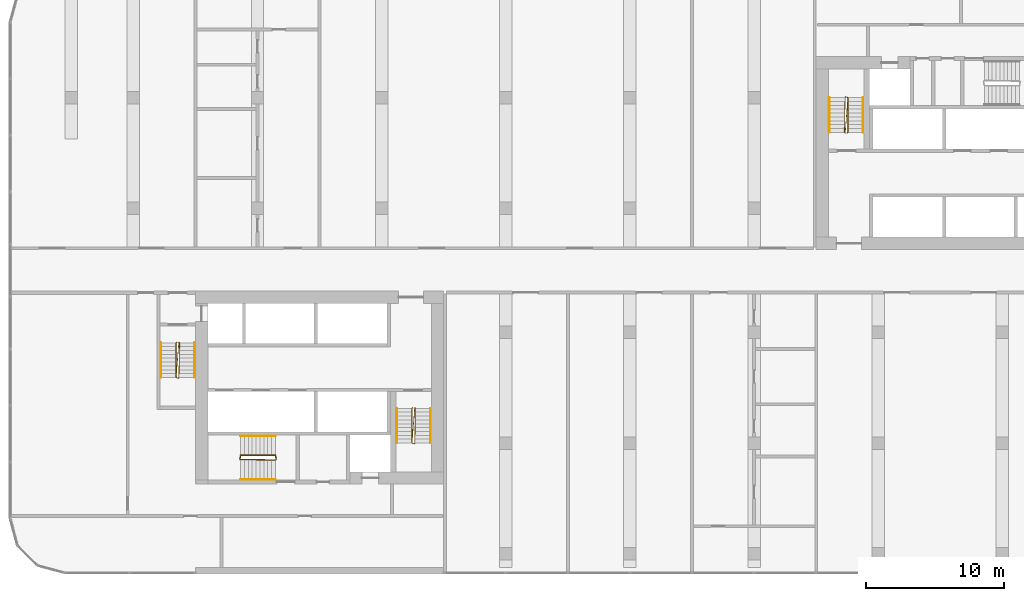
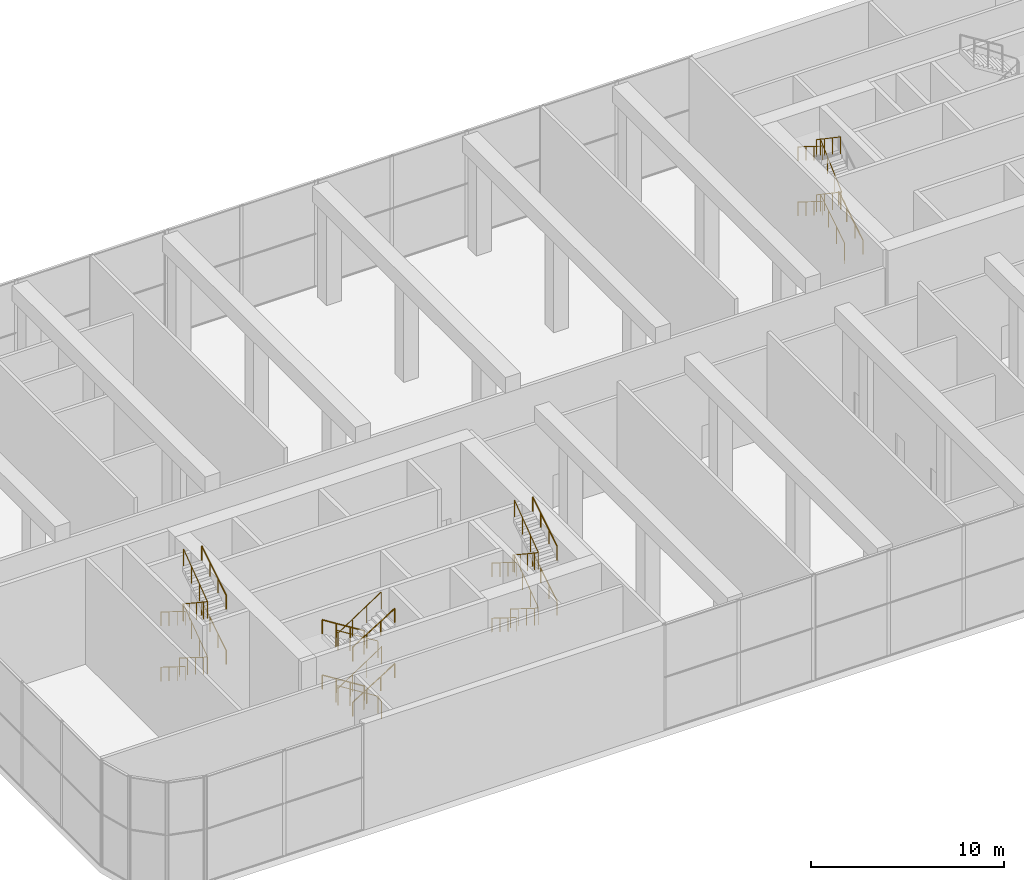
# One storey, part 22 of 23: 20 railings.
"""IFC4 building model written with IfcOpenShell, lengths in metres."""

from ifc_helpers import new_model, si_unit, direction, frame, origin, origin_2d, place, context, subcontext, project, spatial, circle, extrude, material, type_object, element, save


model = new_model("IFC4")

# Units and contexts
model_context = context("Model", 3, precision=1e-05, world=origin(), true_north=direction((0.0, 1.0)))
body_context = subcontext(model_context, "Body", "Model", "MODEL_VIEW")
ifc_project = project(units=[si_unit("LENGTHUNIT", "METRE"), si_unit("AREAUNIT", "SQUARE_METRE"), si_unit("VOLUMEUNIT", "CUBIC_METRE"), si_unit("PLANEANGLEUNIT", "RADIAN"), si_unit("MASSUNIT", "GRAM", prefix="KILO")], contexts=[model_context])

# Site, building, storey
site_placement = place(None, origin())
site = spatial("IfcSite", under=ifc_project, at=site_placement, CompositionType="ELEMENT")
building_placement = place(site_placement, origin())
building = spatial("IfcBuilding", under=site, at=building_placement, Name="Kajstack Hotel Tower", CompositionType="ELEMENT")
storey_placement = place(building_placement, frame((0.0, 0.0, 53.0)))
storey = spatial("IfcBuildingStorey", under=building, at=storey_placement, Name="L08", CompositionType="ELEMENT", Elevation=53.0)

# Railings
ifc_material = material(Name="Steel S355J2", Category="steel")
railing_type_1 = type_object("IfcRailingType", Name="Stair guard 1100", PredefinedType="GUARDRAIL", material=ifc_material)
railing_1_placement = place(storey_placement, frame((-32.85009765625, -5.199951171875, 0.0)))
element("IfcRailing", 1, at=railing_1_placement, inside=storey, type_object=railing_type_1, Name="L08 W1 stair guard 1", PredefinedType="GUARDRAIL", context=body_context, shape_type="SweptSolid", body=[
    extrude(circle(Radius=0.02392578125, at=origin_2d()), frame((0.0, 0.0, 1.076171875), z_axis=(-0.263862480399, -0.265155923931, 0.927399011991), x_axis=(0.708833529934, -0.705375805398, 0.0)), (0.0, 0.0, 1.0), 0.188720703125),
    extrude(circle(Radius=0.02392578125, at=origin_2d()), frame((-0.0498046875, -0.050048828125, 1.2509765625), z_axis=(0.0, -0.848007534815, 0.529984170421), x_axis=(1.0, 0.0, 0.0)), (0.0, 0.0, 1.0), 2.9716796875),
    extrude(circle(Radius=0.02392578125, at=origin_2d()), frame((-0.0498046875, -2.570068359375, 2.826171875), z_axis=(0.970072785993, -0.242814311512, 0.0), x_axis=(0.242814311512, 0.970072785993, 0.0)), (0.0, 0.0, 1.0), 0.2060546875),
    extrude(circle(Radius=0.02392578125, at=origin_2d()), frame((0.150146484375, -2.6201171875, 2.826171875), z_axis=(0.01609440485, 0.826467316365, 0.562754604702), x_axis=(-0.999810440751, 0.019470042781, 0.0)), (0.0, 0.0, 1.0), 3.109619140625),
    extrude(circle(Radius=0.02392578125, at=origin_2d()), frame((0.2001953125, -0.050048828125, 4.576171875), z_axis=(-0.707106781187, 0.707106781187, 0.0), x_axis=(-0.707106781187, -0.707106781187, 0.0)), (0.0, 0.0, 1.0), 0.07080078125),
    extrude(circle(Radius=0.02392578125, at=origin_2d()), frame((0.150146484375, 0.0, 4.576171875), z_axis=(-0.064174880426, -0.824870532658, 0.561667329542), x_axis=(0.996987254287, -0.077565551559, 0.0)), (0.0, 0.0, 1.0), 3.11572265625),
    extrude(circle(Radius=0.02392578125, at=origin_2d()), frame((-0.0498046875, -2.570068359375, 6.326171875), z_axis=(0.970072785993, -0.242814311512, 0.0), x_axis=(0.242814311512, 0.970072785993, 0.0)), (0.0, 0.0, 1.0), 0.2060546875),
    extrude(circle(Radius=0.02392578125, at=origin_2d()), frame((0.150146484375, -2.6201171875, 6.326171875), z_axis=(0.01609440485, 0.826467316365, 0.562754604702), x_axis=(-0.999810440751, 0.019470042781, 0.0)), (0.0, 0.0, 1.0), 3.109619140625),
    extrude(circle(Radius=0.02099609375, at=origin_2d()), origin(), (0.0, 0.0, 1.0), 1.052001953125),
    extrude(circle(Radius=0.02099609375, at=origin_2d()), frame((-0.0498046875, -0.050048828125, 0.175048828125)), (0.0, 0.0, 1.0), 1.052001953125),
    extrude(circle(Radius=0.02099609375, at=origin_2d()), frame((-0.0498046875, -0.89013671875, 0.699951171875)), (0.0, 0.0, 1.0), 1.052001953125),
    extrude(circle(Radius=0.02099609375, at=origin_2d()), frame((-0.0498046875, -1.72998046875, 1.22509765625)), (0.0, 0.0, 1.0), 1.052001953125),
    extrude(circle(Radius=0.02099609375, at=origin_2d()), frame((-0.0498046875, -2.570068359375, 1.75)), (0.0, 0.0, 1.0), 1.052001953125),
    extrude(circle(Radius=0.02099609375, at=origin_2d()), frame((0.150146484375, -2.6201171875, 1.75)), (0.0, 0.0, 1.0), 1.052001953125),
    extrude(circle(Radius=0.02099609375, at=origin_2d()), frame((0.166748046875, -1.763427734375, 2.333251953125)), (0.0, 0.0, 1.0), 1.052001953125),
    extrude(circle(Radius=0.02099609375, at=origin_2d()), frame((0.18359375, -0.90673828125, 2.916748046875)), (0.0, 0.0, 1.0), 1.052001953125),
    extrude(circle(Radius=0.02099609375, at=origin_2d()), frame((0.2001953125, -0.050048828125, 3.5)), (0.0, 0.0, 1.0), 1.052001953125),
    extrude(circle(Radius=0.02099609375, at=origin_2d()), frame((0.150146484375, 0.0, 3.5)), (0.0, 0.0, 1.0), 1.052001953125),
    extrude(circle(Radius=0.02099609375, at=origin_2d()), frame((0.08349609375, -0.856689453125, 4.083251953125)), (0.0, 0.0, 1.0), 1.052001953125),
    extrude(circle(Radius=0.02099609375, at=origin_2d()), frame((0.016845703125, -1.71337890625, 4.666748046875)), (0.0, 0.0, 1.0), 1.052001953125),
    extrude(circle(Radius=0.02099609375, at=origin_2d()), frame((-0.0498046875, -2.570068359375, 5.25)), (0.0, 0.0, 1.0), 1.052001953125),
    extrude(circle(Radius=0.02099609375, at=origin_2d()), frame((0.150146484375, -2.6201171875, 5.25)), (0.0, 0.0, 1.0), 1.052001953125),
    extrude(circle(Radius=0.02099609375, at=origin_2d()), frame((0.166748046875, -1.763427734375, 5.833251953125)), (0.0, 0.0, 1.0), 1.052001953125),
    extrude(circle(Radius=0.02099609375, at=origin_2d()), frame((0.18359375, -0.90673828125, 6.416748046875)), (0.0, 0.0, 1.0), 1.052001953125),
    extrude(circle(Radius=0.02099609375, at=origin_2d()), frame((0.2001953125, -0.050048828125, 7.0)), (0.0, 0.0, 1.0), 1.052001953125),
])
railing_2_placement = place(storey_placement, frame((-15.75, -9.949951171875, 0.0)))
element("IfcRailing", 2, at=railing_2_placement, inside=storey, type_object=railing_type_1, Name="L08 W2 stair guard 1", PredefinedType="GUARDRAIL", context=body_context, shape_type="SweptSolid", body=[
    extrude(circle(Radius=0.02392578125, at=origin_2d()), frame((0.0, 0.0, 1.076171875), z_axis=(-0.265065253269, -0.265065253269, 0.927081885822), x_axis=(0.707106781187, -0.707106781187, 0.0)), (0.0, 0.0, 1.0), 0.188720703125),
    extrude(circle(Radius=0.02392578125, at=origin_2d()), frame((-0.050048828125, -0.050048828125, 1.2509765625), z_axis=(0.0, -0.848007534815, 0.529984170421), x_axis=(1.0, 0.0, 0.0)), (0.0, 0.0, 1.0), 2.9716796875),
    extrude(circle(Radius=0.02392578125, at=origin_2d()), frame((-0.050048828125, -2.570068359375, 2.826171875), z_axis=(0.970072785993, -0.242814311512, 0.0), x_axis=(0.242814311512, 0.970072785993, 0.0)), (0.0, 0.0, 1.0), 0.2060546875),
    extrude(circle(Radius=0.02392578125, at=origin_2d()), frame((0.14990234375, -2.6201171875, 2.826171875), z_axis=(0.01609440485, 0.826467316365, 0.562754604702), x_axis=(-0.999810440751, 0.019470042781, 0.0)), (0.0, 0.0, 1.0), 3.109619140625),
    extrude(circle(Radius=0.02392578125, at=origin_2d()), frame((0.199951171875, -0.050048828125, 4.576171875), z_axis=(-0.707106781187, 0.707106781187, 0.0), x_axis=(-0.707106781187, -0.707106781187, 0.0)), (0.0, 0.0, 1.0), 0.07080078125),
    extrude(circle(Radius=0.02392578125, at=origin_2d()), frame((0.14990234375, 0.0, 4.576171875), z_axis=(-0.064174880426, -0.824870532658, 0.561667329542), x_axis=(0.996987254287, -0.077565551559, 0.0)), (0.0, 0.0, 1.0), 3.11572265625),
    extrude(circle(Radius=0.02392578125, at=origin_2d()), frame((-0.050048828125, -2.570068359375, 6.326171875), z_axis=(0.970072785993, -0.242814311512, 0.0), x_axis=(0.242814311512, 0.970072785993, 0.0)), (0.0, 0.0, 1.0), 0.2060546875),
    extrude(circle(Radius=0.02392578125, at=origin_2d()), frame((0.14990234375, -2.6201171875, 6.326171875), z_axis=(0.01609440485, 0.826467316365, 0.562754604702), x_axis=(-0.999810440751, 0.019470042781, 0.0)), (0.0, 0.0, 1.0), 3.109619140625),
    extrude(circle(Radius=0.02099609375, at=origin_2d()), origin(), (0.0, 0.0, 1.0), 1.052001953125),
    extrude(circle(Radius=0.02099609375, at=origin_2d()), frame((-0.050048828125, -0.050048828125, 0.175048828125)), (0.0, 0.0, 1.0), 1.052001953125),
    extrude(circle(Radius=0.02099609375, at=origin_2d()), frame((-0.050048828125, -0.89013671875, 0.699951171875)), (0.0, 0.0, 1.0), 1.052001953125),
    extrude(circle(Radius=0.02099609375, at=origin_2d()), frame((-0.050048828125, -1.72998046875, 1.22509765625)), (0.0, 0.0, 1.0), 1.052001953125),
    extrude(circle(Radius=0.02099609375, at=origin_2d()), frame((-0.050048828125, -2.570068359375, 1.75)), (0.0, 0.0, 1.0), 1.052001953125),
    extrude(circle(Radius=0.02099609375, at=origin_2d()), frame((0.14990234375, -2.6201171875, 1.75)), (0.0, 0.0, 1.0), 1.052001953125),
    extrude(circle(Radius=0.02099609375, at=origin_2d()), frame((0.16650390625, -1.763427734375, 2.333251953125)), (0.0, 0.0, 1.0), 1.052001953125),
    extrude(circle(Radius=0.02099609375, at=origin_2d()), frame((0.183349609375, -0.90673828125, 2.916748046875)), (0.0, 0.0, 1.0), 1.052001953125),
    extrude(circle(Radius=0.02099609375, at=origin_2d()), frame((0.199951171875, -0.050048828125, 3.5)), (0.0, 0.0, 1.0), 1.052001953125),
    extrude(circle(Radius=0.02099609375, at=origin_2d()), frame((0.14990234375, 0.0, 3.5)), (0.0, 0.0, 1.0), 1.052001953125),
    extrude(circle(Radius=0.02099609375, at=origin_2d()), frame((0.083251953125, -0.856689453125, 4.083251953125)), (0.0, 0.0, 1.0), 1.052001953125),
    extrude(circle(Radius=0.02099609375, at=origin_2d()), frame((0.0166015625, -1.71337890625, 4.666748046875)), (0.0, 0.0, 1.0), 1.052001953125),
    extrude(circle(Radius=0.02099609375, at=origin_2d()), frame((-0.050048828125, -2.570068359375, 5.25)), (0.0, 0.0, 1.0), 1.052001953125),
    extrude(circle(Radius=0.02099609375, at=origin_2d()), frame((0.14990234375, -2.6201171875, 5.25)), (0.0, 0.0, 1.0), 1.052001953125),
    extrude(circle(Radius=0.02099609375, at=origin_2d()), frame((0.16650390625, -1.763427734375, 5.833251953125)), (0.0, 0.0, 1.0), 1.052001953125),
    extrude(circle(Radius=0.02099609375, at=origin_2d()), frame((0.183349609375, -0.90673828125, 6.416748046875)), (0.0, 0.0, 1.0), 1.052001953125),
    extrude(circle(Radius=0.02099609375, at=origin_2d()), frame((0.199951171875, -0.050048828125, 7.0)), (0.0, 0.0, 1.0), 1.052001953125),
])
railing_3_placement = place(storey_placement, frame((-25.64990234375, -13.699951171875, 0.0)))
element("IfcRailing", 3, at=railing_3_placement, inside=storey, type_object=railing_type_1, Name="L08 W3 stair guard 1", PredefinedType="GUARDRAIL", context=body_context, shape_type="SweptSolid", body=[
    extrude(circle(Radius=0.02392578125, at=origin_2d()), frame((0.0, 0.0, 1.076171875), z_axis=(-0.142603563095, 0.85492575143, 0.498764657262), x_axis=(-0.986372223864, -0.164529134168, 0.0)), (0.0, 0.0, 1.0), 0.35107421875),
    extrude(circle(Radius=0.02392578125, at=origin_2d()), frame((-0.050048828125, 0.300048828125, 1.2509765625), z_axis=(-0.848007534815, 0.0, 0.529984170421), x_axis=(0.0, -1.0, 0.0)), (0.0, 0.0, 1.0), 2.9716796875),
    extrude(circle(Radius=0.02392578125, at=origin_2d()), frame((-2.570068359375, 0.300048828125, 2.826171875), z_axis=(-0.164529134168, -0.986372223864, 0.0), x_axis=(0.986372223864, -0.164529134168, 0.0)), (0.0, 0.0, 1.0), 0.30419921875),
    extrude(circle(Radius=0.02392578125, at=origin_2d()), frame((-2.6201171875, 0.0, 2.826171875), z_axis=(0.826467316365, -0.01609440485, 0.562754604702), x_axis=(0.019470042781, 0.999810440751, 0.0)), (0.0, 0.0, 1.0), 3.109619140625),
    extrude(circle(Radius=0.02392578125, at=origin_2d()), frame((-0.050048828125, -0.050048828125, 4.576171875), z_axis=(0.707106781187, 0.707106781187, 0.0), x_axis=(-0.707106781187, 0.707106781187, 0.0)), (0.0, 0.0, 1.0), 0.07080078125),
    extrude(circle(Radius=0.02099609375, at=origin_2d()), origin(), (0.0, 0.0, 1.0), 1.052001953125),
    extrude(circle(Radius=0.02099609375, at=origin_2d()), frame((-0.050048828125, 0.300048828125, 0.175048828125)), (0.0, 0.0, 1.0), 1.052001953125),
    extrude(circle(Radius=0.02099609375, at=origin_2d()), frame((-0.89013671875, 0.300048828125, 0.699951171875)), (0.0, 0.0, 1.0), 1.052001953125),
    extrude(circle(Radius=0.02099609375, at=origin_2d()), frame((-1.72998046875, 0.300048828125, 1.22509765625)), (0.0, 0.0, 1.0), 1.052001953125),
    extrude(circle(Radius=0.02099609375, at=origin_2d()), frame((-2.570068359375, 0.300048828125, 1.75)), (0.0, 0.0, 1.0), 1.052001953125),
    extrude(circle(Radius=0.02099609375, at=origin_2d()), frame((-2.6201171875, 0.0, 1.75)), (0.0, 0.0, 1.0), 1.052001953125),
    extrude(circle(Radius=0.02099609375, at=origin_2d()), frame((-1.763427734375, -0.0166015625, 2.333251953125)), (0.0, 0.0, 1.0), 1.052001953125),
    extrude(circle(Radius=0.02099609375, at=origin_2d()), frame((-0.90673828125, -0.033447265625, 2.916748046875)), (0.0, 0.0, 1.0), 1.052001953125),
    extrude(circle(Radius=0.02099609375, at=origin_2d()), frame((-0.050048828125, -0.050048828125, 3.5)), (0.0, 0.0, 1.0), 1.052001953125),
    extrude(circle(Radius=0.02099609375, at=origin_2d()), frame((0.0, 0.0, 3.5)), (0.0, 0.0, 1.0), 1.052001953125),
])
railing_4_placement = place(storey_placement, frame((-25.699951171875, -13.39990234375, 3.675048828125)))
element("IfcRailing", 4, at=railing_4_placement, inside=storey, type_object=railing_type_1, Name="L08 W3 stair guard 2", PredefinedType="GUARDRAIL", context=body_context, shape_type="SweptSolid", body=[
    extrude(circle(Radius=0.02392578125, at=origin_2d()), frame((0.0, 0.0, 1.076171875), z_axis=(-0.848007534815, 0.0, 0.529984170421), x_axis=(0.0, -1.0, 0.0)), (0.0, 0.0, 1.0), 2.9716796875),
    extrude(circle(Radius=0.02392578125, at=origin_2d()), frame((-2.52001953125, 0.0, 2.65087890625), z_axis=(-0.164529134168, -0.986372223864, 0.0), x_axis=(0.986372223864, -0.164529134168, 0.0)), (0.0, 0.0, 1.0), 0.30419921875),
    extrude(circle(Radius=0.02392578125, at=origin_2d()), frame((-2.570068359375, -0.300048828125, 2.65087890625), z_axis=(0.826467316365, -0.01609440485, 0.562754604702), x_axis=(0.019470042781, 0.999810440751, 0.0)), (0.0, 0.0, 1.0), 3.109619140625),
    extrude(circle(Radius=0.02099609375, at=origin_2d()), origin(), (0.0, 0.0, 1.0), 1.052001953125),
    extrude(circle(Radius=0.02099609375, at=origin_2d()), frame((-0.840087890625, 0.0, 0.52490234375)), (0.0, 0.0, 1.0), 1.052001953125),
    extrude(circle(Radius=0.02099609375, at=origin_2d()), frame((-1.679931640625, 0.0, 1.050048828125)), (0.0, 0.0, 1.0), 1.052001953125),
    extrude(circle(Radius=0.02099609375, at=origin_2d()), frame((-2.52001953125, 0.0, 1.574951171875)), (0.0, 0.0, 1.0), 1.052001953125),
    extrude(circle(Radius=0.02099609375, at=origin_2d()), frame((-2.570068359375, -0.300048828125, 1.574951171875)), (0.0, 0.0, 1.0), 1.052001953125),
    extrude(circle(Radius=0.02099609375, at=origin_2d()), frame((-1.71337890625, -0.316650390625, 2.158203125)), (0.0, 0.0, 1.0), 1.052001953125),
    extrude(circle(Radius=0.02099609375, at=origin_2d()), frame((-0.856689453125, -0.33349609375, 2.74169921875)), (0.0, 0.0, 1.0), 1.052001953125),
    extrude(circle(Radius=0.02099609375, at=origin_2d()), frame((0.0, -0.35009765625, 3.324951171875)), (0.0, 0.0, 1.0), 1.052001953125),
])
railing_5_placement = place(storey_placement, frame((15.75, 9.949951171875, 0.0)))
element("IfcRailing", 5, at=railing_5_placement, inside=storey, type_object=railing_type_1, Name="L08 E2 stair guard 1", PredefinedType="GUARDRAIL", context=body_context, shape_type="SweptSolid", body=[
    extrude(circle(Radius=0.02392578125, at=origin_2d()), frame((0.0, 0.0, 1.076171875), z_axis=(0.265065253269, 0.265065253269, 0.927081885822), x_axis=(-0.707106781187, 0.707106781187, 0.0)), (0.0, 0.0, 1.0), 0.188720703125),
    extrude(circle(Radius=0.02392578125, at=origin_2d()), frame((0.050048828125, 0.050048828125, 1.2509765625), z_axis=(0.0, 0.848007534815, 0.529984170421), x_axis=(-1.0, 0.0, 0.0)), (0.0, 0.0, 1.0), 2.9716796875),
    extrude(circle(Radius=0.02392578125, at=origin_2d()), frame((0.050048828125, 2.570068359375, 2.826171875), z_axis=(-0.970072785993, 0.242814311512, 0.0), x_axis=(-0.242814311512, -0.970072785993, 0.0)), (0.0, 0.0, 1.0), 0.2060546875),
    extrude(circle(Radius=0.02392578125, at=origin_2d()), frame((-0.14990234375, 2.6201171875, 2.826171875), z_axis=(-0.01609440485, -0.826467316365, 0.562754604702), x_axis=(0.999810440751, -0.019470042781, 0.0)), (0.0, 0.0, 1.0), 3.109619140625),
    extrude(circle(Radius=0.02392578125, at=origin_2d()), frame((-0.199951171875, 0.050048828125, 4.576171875), z_axis=(0.707106781187, -0.707106781187, 0.0), x_axis=(0.707106781187, 0.707106781187, 0.0)), (0.0, 0.0, 1.0), 0.07080078125),
    extrude(circle(Radius=0.02392578125, at=origin_2d()), frame((-0.14990234375, 0.0, 4.576171875), z_axis=(0.064174880426, 0.824870532658, 0.561667329542), x_axis=(-0.996987254287, 0.077565551559, 0.0)), (0.0, 0.0, 1.0), 3.11572265625),
    extrude(circle(Radius=0.02392578125, at=origin_2d()), frame((0.050048828125, 2.570068359375, 6.326171875), z_axis=(-0.970072785993, 0.242814311512, 0.0), x_axis=(-0.242814311512, -0.970072785993, 0.0)), (0.0, 0.0, 1.0), 0.2060546875),
    extrude(circle(Radius=0.02392578125, at=origin_2d()), frame((-0.14990234375, 2.6201171875, 6.326171875), z_axis=(-0.01609440485, -0.826467316365, 0.562754604702), x_axis=(0.999810440751, -0.019470042781, 0.0)), (0.0, 0.0, 1.0), 3.109619140625),
    extrude(circle(Radius=0.02099609375, at=origin_2d()), origin(), (0.0, 0.0, 1.0), 1.052001953125),
    extrude(circle(Radius=0.02099609375, at=origin_2d()), frame((0.050048828125, 0.050048828125, 0.175048828125)), (0.0, 0.0, 1.0), 1.052001953125),
    extrude(circle(Radius=0.02099609375, at=origin_2d()), frame((0.050048828125, 0.89013671875, 0.699951171875)), (0.0, 0.0, 1.0), 1.052001953125),
    extrude(circle(Radius=0.02099609375, at=origin_2d()), frame((0.050048828125, 1.72998046875, 1.22509765625)), (0.0, 0.0, 1.0), 1.052001953125),
    extrude(circle(Radius=0.02099609375, at=origin_2d()), frame((0.050048828125, 2.570068359375, 1.75)), (0.0, 0.0, 1.0), 1.052001953125),
    extrude(circle(Radius=0.02099609375, at=origin_2d()), frame((-0.14990234375, 2.6201171875, 1.75)), (0.0, 0.0, 1.0), 1.052001953125),
    extrude(circle(Radius=0.02099609375, at=origin_2d()), frame((-0.16650390625, 1.763427734375, 2.333251953125)), (0.0, 0.0, 1.0), 1.052001953125),
    extrude(circle(Radius=0.02099609375, at=origin_2d()), frame((-0.183349609375, 0.90673828125, 2.916748046875)), (0.0, 0.0, 1.0), 1.052001953125),
    extrude(circle(Radius=0.02099609375, at=origin_2d()), frame((-0.199951171875, 0.050048828125, 3.5)), (0.0, 0.0, 1.0), 1.052001953125),
    extrude(circle(Radius=0.02099609375, at=origin_2d()), frame((-0.14990234375, 0.0, 3.5)), (0.0, 0.0, 1.0), 1.052001953125),
    extrude(circle(Radius=0.02099609375, at=origin_2d()), frame((-0.083251953125, 0.856689453125, 4.083251953125)), (0.0, 0.0, 1.0), 1.052001953125),
    extrude(circle(Radius=0.02099609375, at=origin_2d()), frame((-0.0166015625, 1.71337890625, 4.666748046875)), (0.0, 0.0, 1.0), 1.052001953125),
    extrude(circle(Radius=0.02099609375, at=origin_2d()), frame((0.050048828125, 2.570068359375, 5.25)), (0.0, 0.0, 1.0), 1.052001953125),
    extrude(circle(Radius=0.02099609375, at=origin_2d()), frame((-0.14990234375, 2.6201171875, 5.25)), (0.0, 0.0, 1.0), 1.052001953125),
    extrude(circle(Radius=0.02099609375, at=origin_2d()), frame((-0.16650390625, 1.763427734375, 5.833251953125)), (0.0, 0.0, 1.0), 1.052001953125),
    extrude(circle(Radius=0.02099609375, at=origin_2d()), frame((-0.183349609375, 0.90673828125, 6.416748046875)), (0.0, 0.0, 1.0), 1.052001953125),
    extrude(circle(Radius=0.02099609375, at=origin_2d()), frame((-0.199951171875, 0.050048828125, 7.0)), (0.0, 0.0, 1.0), 1.052001953125),
])
railing_type_2 = type_object("IfcRailingType", Name="Stair handrail 900", PredefinedType="HANDRAIL", material=ifc_material)
railing_6_placement = place(storey_placement, frame((-34.0, -5.25, 0.175048828125)))
element("IfcRailing", 6, at=railing_6_placement, inside=storey, type_object=railing_type_2, Name="L08 W1 stair handrail 1", PredefinedType="HANDRAIL", context=body_context, shape_type="SweptSolid", body=[
    extrude(circle(Radius=0.02392578125, at=origin_2d()), frame((0.0, 0.0, 0.8759765625), z_axis=(0.0, -0.848007534815, 0.529984170421), x_axis=(1.0, 0.0, 0.0)), (0.0, 0.0, 1.0), 2.9716796875),
    extrude(circle(Radius=0.02099609375, at=origin_2d()), origin(), (0.0, 0.0, 1.0), 0.851806640625),
    extrude(circle(Radius=0.02099609375, at=origin_2d()), frame((0.0, -0.840087890625, 0.52490234375)), (0.0, 0.0, 1.0), 0.851806640625),
    extrude(circle(Radius=0.02099609375, at=origin_2d()), frame((0.0, -1.679931640625, 1.050048828125)), (0.0, 0.0, 1.0), 0.851806640625),
    extrude(circle(Radius=0.02099609375, at=origin_2d()), frame((0.0, -2.52001953125, 1.574951171875)), (0.0, 0.0, 1.0), 0.851806640625),
])
railing_7_placement = place(storey_placement, frame((-31.550048828125, -7.77001953125, 1.925048828125)))
element("IfcRailing", 7, at=railing_7_placement, inside=storey, type_object=railing_type_2, Name="L08 W1 stair handrail 2", PredefinedType="HANDRAIL", context=body_context, shape_type="SweptSolid", body=[
    extrude(circle(Radius=0.02392578125, at=origin_2d()), frame((0.0, 0.0, 0.8759765625), z_axis=(0.0, 0.848007534815, 0.529984170421), x_axis=(-1.0, 0.0, 0.0)), (0.0, 0.0, 1.0), 2.9716796875),
    extrude(circle(Radius=0.02099609375, at=origin_2d()), origin(), (0.0, 0.0, 1.0), 0.851806640625),
    extrude(circle(Radius=0.02099609375, at=origin_2d()), frame((0.0, 0.840087890625, 0.52490234375)), (0.0, 0.0, 1.0), 0.851806640625),
    extrude(circle(Radius=0.02099609375, at=origin_2d()), frame((0.0, 1.679931640625, 1.050048828125)), (0.0, 0.0, 1.0), 0.851806640625),
    extrude(circle(Radius=0.02099609375, at=origin_2d()), frame((0.0, 2.52001953125, 1.574951171875)), (0.0, 0.0, 1.0), 0.851806640625),
])
railing_8_placement = place(storey_placement, frame((-34.0, -5.25, 3.675048828125)))
element("IfcRailing", 8, at=railing_8_placement, inside=storey, type_object=railing_type_2, Name="L08 W1 stair handrail 3", PredefinedType="HANDRAIL", context=body_context, shape_type="SweptSolid", body=[
    extrude(circle(Radius=0.02392578125, at=origin_2d()), frame((0.0, 0.0, 0.8759765625), z_axis=(0.0, -0.848007534815, 0.529984170421), x_axis=(1.0, 0.0, 0.0)), (0.0, 0.0, 1.0), 2.9716796875),
    extrude(circle(Radius=0.02099609375, at=origin_2d()), origin(), (0.0, 0.0, 1.0), 0.851806640625),
    extrude(circle(Radius=0.02099609375, at=origin_2d()), frame((0.0, -0.840087890625, 0.52490234375)), (0.0, 0.0, 1.0), 0.851806640625),
    extrude(circle(Radius=0.02099609375, at=origin_2d()), frame((0.0, -1.679931640625, 1.050048828125)), (0.0, 0.0, 1.0), 0.851806640625),
    extrude(circle(Radius=0.02099609375, at=origin_2d()), frame((0.0, -2.52001953125, 1.574951171875)), (0.0, 0.0, 1.0), 0.851806640625),
])
railing_9_placement = place(storey_placement, frame((-31.550048828125, -7.77001953125, 5.425048828125)))
element("IfcRailing", 9, at=railing_9_placement, inside=storey, type_object=railing_type_2, Name="L08 W1 stair handrail 4", PredefinedType="HANDRAIL", context=body_context, shape_type="SweptSolid", body=[
    extrude(circle(Radius=0.02392578125, at=origin_2d()), frame((0.0, 0.0, 0.8759765625), z_axis=(0.0, 0.848007534815, 0.529984170421), x_axis=(-1.0, 0.0, 0.0)), (0.0, 0.0, 1.0), 2.9716796875),
    extrude(circle(Radius=0.02099609375, at=origin_2d()), origin(), (0.0, 0.0, 1.0), 0.851806640625),
    extrude(circle(Radius=0.02099609375, at=origin_2d()), frame((0.0, 0.840087890625, 0.52490234375)), (0.0, 0.0, 1.0), 0.851806640625),
    extrude(circle(Radius=0.02099609375, at=origin_2d()), frame((0.0, 1.679931640625, 1.050048828125)), (0.0, 0.0, 1.0), 0.851806640625),
    extrude(circle(Radius=0.02099609375, at=origin_2d()), frame((0.0, 2.52001953125, 1.574951171875)), (0.0, 0.0, 1.0), 0.851806640625),
])
railing_10_placement = place(storey_placement, frame((-16.89990234375, -10.0, 0.175048828125)))
element("IfcRailing", 10, at=railing_10_placement, inside=storey, type_object=railing_type_2, Name="L08 W2 stair handrail 1", PredefinedType="HANDRAIL", context=body_context, shape_type="SweptSolid", body=[
    extrude(circle(Radius=0.02392578125, at=origin_2d()), frame((0.0, 0.0, 0.8759765625), z_axis=(0.0, -0.848007534815, 0.529984170421), x_axis=(1.0, 0.0, 0.0)), (0.0, 0.0, 1.0), 2.9716796875),
    extrude(circle(Radius=0.02099609375, at=origin_2d()), origin(), (0.0, 0.0, 1.0), 0.851806640625),
    extrude(circle(Radius=0.02099609375, at=origin_2d()), frame((0.0, -0.840087890625, 0.52490234375)), (0.0, 0.0, 1.0), 0.851806640625),
    extrude(circle(Radius=0.02099609375, at=origin_2d()), frame((0.0, -1.679931640625, 1.050048828125)), (0.0, 0.0, 1.0), 0.851806640625),
    extrude(circle(Radius=0.02099609375, at=origin_2d()), frame((0.0, -2.52001953125, 1.574951171875)), (0.0, 0.0, 1.0), 0.851806640625),
])
railing_11_placement = place(storey_placement, frame((-14.449951171875, -12.52001953125, 1.925048828125)))
element("IfcRailing", 11, at=railing_11_placement, inside=storey, type_object=railing_type_2, Name="L08 W2 stair handrail 2", PredefinedType="HANDRAIL", context=body_context, shape_type="SweptSolid", body=[
    extrude(circle(Radius=0.02392578125, at=origin_2d()), frame((0.0, 0.0, 0.8759765625), z_axis=(0.0, 0.848007534815, 0.529984170421), x_axis=(-1.0, 0.0, 0.0)), (0.0, 0.0, 1.0), 2.9716796875),
    extrude(circle(Radius=0.02099609375, at=origin_2d()), origin(), (0.0, 0.0, 1.0), 0.851806640625),
    extrude(circle(Radius=0.02099609375, at=origin_2d()), frame((0.0, 0.840087890625, 0.52490234375)), (0.0, 0.0, 1.0), 0.851806640625),
    extrude(circle(Radius=0.02099609375, at=origin_2d()), frame((0.0, 1.679931640625, 1.050048828125)), (0.0, 0.0, 1.0), 0.851806640625),
    extrude(circle(Radius=0.02099609375, at=origin_2d()), frame((0.0, 2.52001953125, 1.574951171875)), (0.0, 0.0, 1.0), 0.851806640625),
])
railing_12_placement = place(storey_placement, frame((-16.89990234375, -10.0, 3.675048828125)))
element("IfcRailing", 12, at=railing_12_placement, inside=storey, type_object=railing_type_2, Name="L08 W2 stair handrail 3", PredefinedType="HANDRAIL", context=body_context, shape_type="SweptSolid", body=[
    extrude(circle(Radius=0.02392578125, at=origin_2d()), frame((0.0, 0.0, 0.8759765625), z_axis=(0.0, -0.848007534815, 0.529984170421), x_axis=(1.0, 0.0, 0.0)), (0.0, 0.0, 1.0), 2.9716796875),
    extrude(circle(Radius=0.02099609375, at=origin_2d()), origin(), (0.0, 0.0, 1.0), 0.851806640625),
    extrude(circle(Radius=0.02099609375, at=origin_2d()), frame((0.0, -0.840087890625, 0.52490234375)), (0.0, 0.0, 1.0), 0.851806640625),
    extrude(circle(Radius=0.02099609375, at=origin_2d()), frame((0.0, -1.679931640625, 1.050048828125)), (0.0, 0.0, 1.0), 0.851806640625),
    extrude(circle(Radius=0.02099609375, at=origin_2d()), frame((0.0, -2.52001953125, 1.574951171875)), (0.0, 0.0, 1.0), 0.851806640625),
])
railing_13_placement = place(storey_placement, frame((-14.449951171875, -12.52001953125, 5.425048828125)))
element("IfcRailing", 13, at=railing_13_placement, inside=storey, type_object=railing_type_2, Name="L08 W2 stair handrail 4", PredefinedType="HANDRAIL", context=body_context, shape_type="SweptSolid", body=[
    extrude(circle(Radius=0.02392578125, at=origin_2d()), frame((0.0, 0.0, 0.8759765625), z_axis=(0.0, 0.848007534815, 0.529984170421), x_axis=(-1.0, 0.0, 0.0)), (0.0, 0.0, 1.0), 2.9716796875),
    extrude(circle(Radius=0.02099609375, at=origin_2d()), origin(), (0.0, 0.0, 1.0), 0.851806640625),
    extrude(circle(Radius=0.02099609375, at=origin_2d()), frame((0.0, 0.840087890625, 0.52490234375)), (0.0, 0.0, 1.0), 0.851806640625),
    extrude(circle(Radius=0.02099609375, at=origin_2d()), frame((0.0, 1.679931640625, 1.050048828125)), (0.0, 0.0, 1.0), 0.851806640625),
    extrude(circle(Radius=0.02099609375, at=origin_2d()), frame((0.0, 2.52001953125, 1.574951171875)), (0.0, 0.0, 1.0), 0.851806640625),
])
railing_14_placement = place(storey_placement, frame((-25.699951171875, -12.0, 0.175048828125)))
element("IfcRailing", 14, at=railing_14_placement, inside=storey, type_object=railing_type_2, Name="L08 W3 stair handrail 1", PredefinedType="HANDRAIL", context=body_context, shape_type="SweptSolid", body=[
    extrude(circle(Radius=0.02392578125, at=origin_2d()), frame((0.0, 0.0, 0.8759765625), z_axis=(-0.848007534815, 0.0, 0.529984170421), x_axis=(0.0, -1.0, 0.0)), (0.0, 0.0, 1.0), 2.9716796875),
    extrude(circle(Radius=0.02099609375, at=origin_2d()), origin(), (0.0, 0.0, 1.0), 0.851806640625),
    extrude(circle(Radius=0.02099609375, at=origin_2d()), frame((-0.840087890625, 0.0, 0.52490234375)), (0.0, 0.0, 1.0), 0.851806640625),
    extrude(circle(Radius=0.02099609375, at=origin_2d()), frame((-1.679931640625, 0.0, 1.050048828125)), (0.0, 0.0, 1.0), 0.851806640625),
    extrude(circle(Radius=0.02099609375, at=origin_2d()), frame((-2.52001953125, 0.0, 1.574951171875)), (0.0, 0.0, 1.0), 0.851806640625),
])
railing_15_placement = place(storey_placement, frame((-28.219970703125, -15.14990234375, 1.925048828125)))
element("IfcRailing", 15, at=railing_15_placement, inside=storey, type_object=railing_type_2, Name="L08 W3 stair handrail 2", PredefinedType="HANDRAIL", context=body_context, shape_type="SweptSolid", body=[
    extrude(circle(Radius=0.02392578125, at=origin_2d()), frame((0.0, 0.0, 0.8759765625), z_axis=(0.848007534815, 0.0, 0.529984170421), x_axis=(0.0, 1.0, 0.0)), (0.0, 0.0, 1.0), 2.9716796875),
    extrude(circle(Radius=0.02099609375, at=origin_2d()), origin(), (0.0, 0.0, 1.0), 0.851806640625),
    extrude(circle(Radius=0.02099609375, at=origin_2d()), frame((0.840087890625, 0.0, 0.52490234375)), (0.0, 0.0, 1.0), 0.851806640625),
    extrude(circle(Radius=0.02099609375, at=origin_2d()), frame((1.679931640625, 0.0, 1.050048828125)), (0.0, 0.0, 1.0), 0.851806640625),
    extrude(circle(Radius=0.02099609375, at=origin_2d()), frame((2.52001953125, 0.0, 1.574951171875)), (0.0, 0.0, 1.0), 0.851806640625),
])
railing_16_placement = place(storey_placement, frame((-25.699951171875, -12.0, 3.675048828125)))
element("IfcRailing", 16, at=railing_16_placement, inside=storey, type_object=railing_type_2, Name="L08 W3 stair handrail 3", PredefinedType="HANDRAIL", context=body_context, shape_type="SweptSolid", body=[
    extrude(circle(Radius=0.02392578125, at=origin_2d()), frame((0.0, 0.0, 0.8759765625), z_axis=(-0.848007534815, 0.0, 0.529984170421), x_axis=(0.0, -1.0, 0.0)), (0.0, 0.0, 1.0), 2.9716796875),
    extrude(circle(Radius=0.02099609375, at=origin_2d()), origin(), (0.0, 0.0, 1.0), 0.851806640625),
    extrude(circle(Radius=0.02099609375, at=origin_2d()), frame((-0.840087890625, 0.0, 0.52490234375)), (0.0, 0.0, 1.0), 0.851806640625),
    extrude(circle(Radius=0.02099609375, at=origin_2d()), frame((-1.679931640625, 0.0, 1.050048828125)), (0.0, 0.0, 1.0), 0.851806640625),
    extrude(circle(Radius=0.02099609375, at=origin_2d()), frame((-2.52001953125, 0.0, 1.574951171875)), (0.0, 0.0, 1.0), 0.851806640625),
])
railing_17_placement = place(storey_placement, frame((-28.219970703125, -15.14990234375, 5.425048828125)))
element("IfcRailing", 17, at=railing_17_placement, inside=storey, type_object=railing_type_2, Name="L08 W3 stair handrail 4", PredefinedType="HANDRAIL", context=body_context, shape_type="SweptSolid", body=[
    extrude(circle(Radius=0.02392578125, at=origin_2d()), frame((0.0, 0.0, 0.8759765625), z_axis=(0.848007534815, 0.0, 0.529984170421), x_axis=(0.0, 1.0, 0.0)), (0.0, 0.0, 1.0), 2.9716796875),
    extrude(circle(Radius=0.02099609375, at=origin_2d()), origin(), (0.0, 0.0, 1.0), 0.851806640625),
    extrude(circle(Radius=0.02099609375, at=origin_2d()), frame((0.840087890625, 0.0, 0.52490234375)), (0.0, 0.0, 1.0), 0.851806640625),
    extrude(circle(Radius=0.02099609375, at=origin_2d()), frame((1.679931640625, 0.0, 1.050048828125)), (0.0, 0.0, 1.0), 0.851806640625),
    extrude(circle(Radius=0.02099609375, at=origin_2d()), frame((2.52001953125, 0.0, 1.574951171875)), (0.0, 0.0, 1.0), 0.851806640625),
])
railing_18_placement = place(storey_placement, frame((16.89990234375, 10.0, 0.175048828125)))
element("IfcRailing", 18, at=railing_18_placement, inside=storey, type_object=railing_type_2, Name="L08 E2 stair handrail 1", PredefinedType="HANDRAIL", context=body_context, shape_type="SweptSolid", body=[
    extrude(circle(Radius=0.02392578125, at=origin_2d()), frame((0.0, 0.0, 0.8759765625), z_axis=(0.0, 0.848007534815, 0.529984170421), x_axis=(-1.0, 0.0, 0.0)), (0.0, 0.0, 1.0), 2.9716796875),
    extrude(circle(Radius=0.02099609375, at=origin_2d()), origin(), (0.0, 0.0, 1.0), 0.851806640625),
    extrude(circle(Radius=0.02099609375, at=origin_2d()), frame((0.0, 0.840087890625, 0.52490234375)), (0.0, 0.0, 1.0), 0.851806640625),
    extrude(circle(Radius=0.02099609375, at=origin_2d()), frame((0.0, 1.679931640625, 1.050048828125)), (0.0, 0.0, 1.0), 0.851806640625),
    extrude(circle(Radius=0.02099609375, at=origin_2d()), frame((0.0, 2.52001953125, 1.574951171875)), (0.0, 0.0, 1.0), 0.851806640625),
])
for number, where, name in (
    (19, (14.449951171875, 12.52001953125, 1.925048828125), "L08 E2 stair handrail 2"),
    (20, (14.449951171875, 12.52001953125, 5.425048828125), "L08 E2 stair handrail 4"),
):
    element("IfcRailing", number, at=place(storey_placement, frame(where)), inside=storey, type_object=railing_type_2, Name=name, PredefinedType="HANDRAIL", context=body_context, shape_type="SweptSolid", body=[
        extrude(circle(Radius=0.02392578125, at=origin_2d()), frame((0.0, 0.0, 0.8759765625), z_axis=(0.0, -0.848007534815, 0.529984170421), x_axis=(1.0, 0.0, 0.0)), (0.0, 0.0, 1.0), 2.9716796875),
        extrude(circle(Radius=0.02099609375, at=origin_2d()), origin(), (0.0, 0.0, 1.0), 0.851806640625),
        extrude(circle(Radius=0.02099609375, at=origin_2d()), frame((0.0, -0.840087890625, 0.52490234375)), (0.0, 0.0, 1.0), 0.851806640625),
        extrude(circle(Radius=0.02099609375, at=origin_2d()), frame((0.0, -1.679931640625, 1.050048828125)), (0.0, 0.0, 1.0), 0.851806640625),
        extrude(circle(Radius=0.02099609375, at=origin_2d()), frame((0.0, -2.52001953125, 1.574951171875)), (0.0, 0.0, 1.0), 0.851806640625),
    ])

save(model, "model.ifc")
